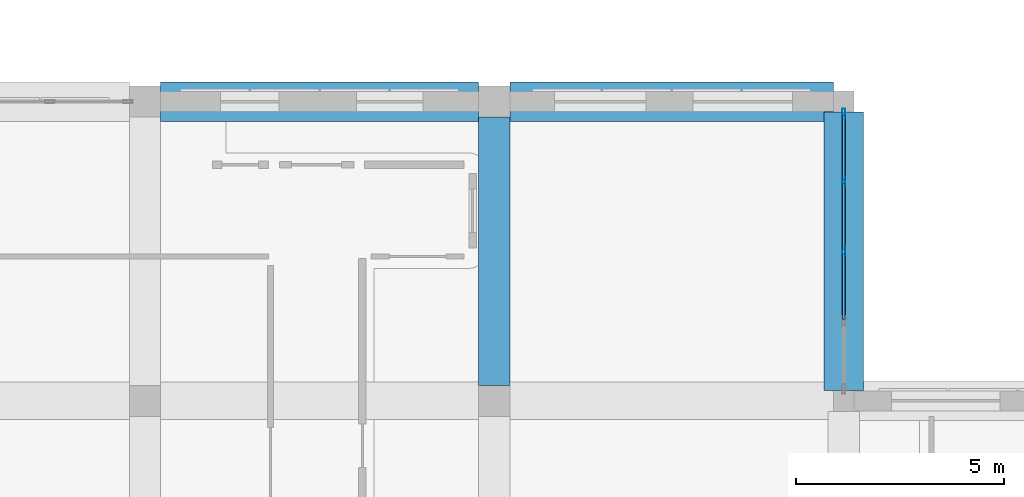
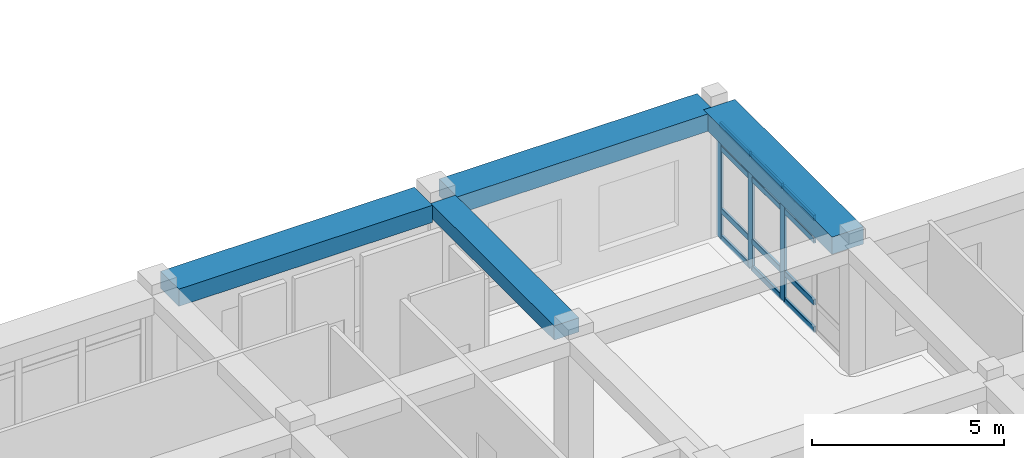
# One storey, part 58 of 121: 15 members, 4 beams, 1 element without a shape of its own.
"""IFC4 building model written with IfcOpenShell, lengths in metres."""

from ifc_helpers import new_model, si_unit, derived_unit, direction, frame, origin, origin_2d, place, context, subcontext, project, spatial, rectangle, hollow_rectangle, extrude, material, material_profile, profile_set, type_object, element, aggregate, save


model = new_model("IFC4")

# Units and contexts
model_context = context("Model", 3, precision=1e-05, world=origin(), true_north=direction((0.0, 1.0)))
body_context = subcontext(model_context, "Body", "Model", "MODEL_VIEW")
ifc_project = project(units=[si_unit("LENGTHUNIT", "METRE"), si_unit("AREAUNIT", "SQUARE_METRE"), si_unit("VOLUMEUNIT", "CUBIC_METRE"), si_unit("PLANEANGLEUNIT", "RADIAN"), si_unit("MASSUNIT", "GRAM", prefix="KILO"), derived_unit("THERMALTRANSMITTANCEUNIT", [(si_unit("POWERUNIT", "WATT"), 1), (si_unit("LENGTHUNIT", "METRE"), -2), (si_unit("THERMODYNAMICTEMPERATUREUNIT", "KELVIN"), -1)])], contexts=[model_context])

# Site, building, storey
site_placement = place(None, origin())
site = spatial("IfcSite", under=ifc_project, at=site_placement, CompositionType="ELEMENT")
building_placement = place(site_placement, origin())
building = spatial("IfcBuilding", under=site, at=building_placement, Name="Veybourne Emporium", CompositionType="ELEMENT")
storey_placement = place(building_placement, frame((0.0, 0.0, 5.39990234375)))
storey = spatial("IfcBuildingStorey", under=building, at=storey_placement, Name="L01", CompositionType="ELEMENT", Elevation=5.39990234375)

# Curtain wall, members
ifc_material_1 = material(Name="Patinated Architectural Bronze", Category="bronze")
curtain_wall_type = type_object("IfcCurtainWallType", Name="CWSystem_CWS-27", PredefinedType="NOTDEFINED", material=ifc_material_1)
curtain_wall_placement = place(storey_placement, origin())
curtain_wall = element("IfcCurtainWall", 1, at=curtain_wall_placement, inside=storey, type_object=curtain_wall_type, Name="L01 bronze glazed curtain wall CWS-27 (070)", PredefinedType="NOTDEFINED")
ifc_material_profile_1 = material_profile(ifc_material_1, hollow_rectangle(XDim=0.077880859375, YDim=0.235107421875, WallThickness=0.0048828125, InnerFilletRadius=0.007568359375, OuterFilletRadius=0.012451171875, at=origin_2d()), Name="CWM 78x235x5")
ifc_profile_set_1 = profile_set([ifc_material_profile_1], Name="Patinated Architectural Bronze")
member_type_1 = type_object("IfcMemberType", Name="CWMullion_CW-M3", PredefinedType="MULLION", material=ifc_profile_set_1)
member_1_placement = place(storey_placement, frame((142.800048828125, 28.510986328125, 0.0), z_axis=(0.0, 0.0, 1.0), x_axis=(1.0, 0.0, 0.0)))
member_1 = element("IfcMember", 2, at=member_1_placement, type_object=member_type_1, Name="CWS-27 mullion 1", PredefinedType="MULLION", context=body_context, shape_type="SweptSolid", body=[
    extrude(hollow_rectangle(XDim=0.077880859375, YDim=0.235107421875, WallThickness=0.0048828125, InnerFilletRadius=0.007568359375, OuterFilletRadius=0.012451171875, at=origin_2d()), origin(), (0.0, 0.0, 1.0), 3.630126953125),
])
member_2_placement = place(storey_placement, frame((142.800048828125, 26.875, 0.0), z_axis=(0.0, 0.0, 1.0), x_axis=(1.0, 0.0, 0.0)))
member_2 = element("IfcMember", 3, at=member_2_placement, type_object=member_type_1, Name="CWS-27 mullion 2", PredefinedType="MULLION", context=body_context, shape_type="SweptSolid", body=[
    extrude(hollow_rectangle(XDim=0.077880859375, YDim=0.235107421875, WallThickness=0.0048828125, InnerFilletRadius=0.007568359375, OuterFilletRadius=0.012451171875, at=origin_2d()), origin(), (0.0, 0.0, 1.0), 3.630126953125),
])
member_3_placement = place(storey_placement, frame((142.800048828125, 25.199951171875, 0.0), z_axis=(0.0, 0.0, 1.0), x_axis=(1.0, 0.0, 0.0)))
member_3 = element("IfcMember", 4, at=member_3_placement, type_object=member_type_1, Name="CWS-27 mullion 3", PredefinedType="MULLION", context=body_context, shape_type="SweptSolid", body=[
    extrude(hollow_rectangle(XDim=0.077880859375, YDim=0.235107421875, WallThickness=0.0048828125, InnerFilletRadius=0.007568359375, OuterFilletRadius=0.012451171875, at=origin_2d()), origin(), (0.0, 0.0, 1.0), 3.630126953125),
])
ifc_material_profile_2 = material_profile(ifc_material_1, hollow_rectangle(XDim=0.077880859375, YDim=0.18505859375, WallThickness=0.0048828125, InnerFilletRadius=0.007568359375, OuterFilletRadius=0.012451171875, at=origin_2d()), Name="CWT 78x185x5")
ifc_profile_set_2 = profile_set([ifc_material_profile_2], Name="Patinated Architectural Bronze")
member_type_2 = type_object("IfcMemberType", Name="CWTransom_CW-T3", PredefinedType="NOTDEFINED", material=ifc_profile_set_2)
member_4_placement = place(storey_placement, frame((142.800048828125, 28.471923828125, 0.0390625), z_axis=(0.0, -1.0, 0.0), x_axis=(1.0, 0.0, 0.0)))
member_4 = element("IfcMember", 5, at=member_4_placement, type_object=member_type_2, Name="CWS-27 transom 1.1", ObjectType="TRANSOM", PredefinedType="USERDEFINED", context=body_context, shape_type="SweptSolid", body=[
    extrude(hollow_rectangle(XDim=0.077880859375, YDim=0.18505859375, WallThickness=0.0048828125, InnerFilletRadius=0.007568359375, OuterFilletRadius=0.012451171875, at=origin_2d()), origin(), (0.0, 0.0, 1.0), 1.557861328125),
])
member_5_placement = place(storey_placement, frame((142.800048828125, 28.471923828125, 0.900146484375), z_axis=(0.0, -1.0, 0.0), x_axis=(1.0, 0.0, 0.0)))
member_5 = element("IfcMember", 6, at=member_5_placement, type_object=member_type_2, Name="CWS-27 transom 1.2", ObjectType="TRANSOM", PredefinedType="USERDEFINED", context=body_context, shape_type="SweptSolid", body=[
    extrude(hollow_rectangle(XDim=0.077880859375, YDim=0.18505859375, WallThickness=0.0048828125, InnerFilletRadius=0.007568359375, OuterFilletRadius=0.012451171875, at=origin_2d()), origin(), (0.0, 0.0, 1.0), 1.557861328125),
])
member_6_placement = place(storey_placement, frame((142.800048828125, 28.471923828125, 2.880126953125), z_axis=(0.0, -1.0, 0.0), x_axis=(1.0, 0.0, 0.0)))
member_6 = element("IfcMember", 7, at=member_6_placement, type_object=member_type_2, Name="CWS-27 transom 1.3", ObjectType="TRANSOM", PredefinedType="USERDEFINED", context=body_context, shape_type="SweptSolid", body=[
    extrude(hollow_rectangle(XDim=0.077880859375, YDim=0.18505859375, WallThickness=0.0048828125, InnerFilletRadius=0.007568359375, OuterFilletRadius=0.012451171875, at=origin_2d()), origin(), (0.0, 0.0, 1.0), 1.557861328125),
])
member_7_placement = place(storey_placement, frame((142.800048828125, 28.471923828125, 3.591064453125), z_axis=(0.0, -1.0, 0.0), x_axis=(1.0, 0.0, 0.0)))
member_7 = element("IfcMember", 8, at=member_7_placement, type_object=member_type_2, Name="CWS-27 transom 1.4", ObjectType="TRANSOM", PredefinedType="USERDEFINED", context=body_context, shape_type="SweptSolid", body=[
    extrude(hollow_rectangle(XDim=0.077880859375, YDim=0.18505859375, WallThickness=0.0048828125, InnerFilletRadius=0.007568359375, OuterFilletRadius=0.012451171875, at=origin_2d()), origin(), (0.0, 0.0, 1.0), 1.557861328125),
])
member_8_placement = place(storey_placement, frame((142.800048828125, 26.8359375, 0.0390625), z_axis=(0.0, -1.0, 0.0), x_axis=(1.0, 0.0, 0.0)))
member_8 = element("IfcMember", 9, at=member_8_placement, type_object=member_type_2, Name="CWS-27 transom 2.1", ObjectType="TRANSOM", PredefinedType="USERDEFINED", context=body_context, shape_type="SweptSolid", body=[
    extrude(hollow_rectangle(XDim=0.077880859375, YDim=0.18505859375, WallThickness=0.0048828125, InnerFilletRadius=0.007568359375, OuterFilletRadius=0.012451171875, at=origin_2d()), origin(), (0.0, 0.0, 1.0), 1.596923828125),
])
member_9_placement = place(storey_placement, frame((142.800048828125, 26.8359375, 0.900146484375), z_axis=(0.0, -1.0, 0.0), x_axis=(1.0, 0.0, 0.0)))
member_9 = element("IfcMember", 10, at=member_9_placement, type_object=member_type_2, Name="CWS-27 transom 2.2", ObjectType="TRANSOM", PredefinedType="USERDEFINED", context=body_context, shape_type="SweptSolid", body=[
    extrude(hollow_rectangle(XDim=0.077880859375, YDim=0.18505859375, WallThickness=0.0048828125, InnerFilletRadius=0.007568359375, OuterFilletRadius=0.012451171875, at=origin_2d()), origin(), (0.0, 0.0, 1.0), 1.596923828125),
])
member_10_placement = place(storey_placement, frame((142.800048828125, 26.8359375, 2.880126953125), z_axis=(0.0, -1.0, 0.0), x_axis=(1.0, 0.0, 0.0)))
member_10 = element("IfcMember", 11, at=member_10_placement, type_object=member_type_2, Name="CWS-27 transom 2.3", ObjectType="TRANSOM", PredefinedType="USERDEFINED", context=body_context, shape_type="SweptSolid", body=[
    extrude(hollow_rectangle(XDim=0.077880859375, YDim=0.18505859375, WallThickness=0.0048828125, InnerFilletRadius=0.007568359375, OuterFilletRadius=0.012451171875, at=origin_2d()), origin(), (0.0, 0.0, 1.0), 1.596923828125),
])
member_11_placement = place(storey_placement, frame((142.800048828125, 26.8359375, 3.591064453125), z_axis=(0.0, -1.0, 0.0), x_axis=(1.0, 0.0, 0.0)))
member_11 = element("IfcMember", 12, at=member_11_placement, type_object=member_type_2, Name="CWS-27 transom 2.4", ObjectType="TRANSOM", PredefinedType="USERDEFINED", context=body_context, shape_type="SweptSolid", body=[
    extrude(hollow_rectangle(XDim=0.077880859375, YDim=0.18505859375, WallThickness=0.0048828125, InnerFilletRadius=0.007568359375, OuterFilletRadius=0.012451171875, at=origin_2d()), origin(), (0.0, 0.0, 1.0), 1.596923828125),
])
member_12_placement = place(storey_placement, frame((142.800048828125, 25.160888671875, 0.0390625), z_axis=(0.0, -1.0, 0.0), x_axis=(1.0, 0.0, 0.0)))
member_12 = element("IfcMember", 13, at=member_12_placement, type_object=member_type_2, Name="CWS-27 transom 3.1", ObjectType="TRANSOM", PredefinedType="USERDEFINED", context=body_context, shape_type="SweptSolid", body=[
    extrude(hollow_rectangle(XDim=0.077880859375, YDim=0.18505859375, WallThickness=0.0048828125, InnerFilletRadius=0.007568359375, OuterFilletRadius=0.012451171875, at=origin_2d()), origin(), (0.0, 0.0, 1.0), 1.596923828125),
])
member_13_placement = place(storey_placement, frame((142.800048828125, 25.160888671875, 0.900146484375), z_axis=(0.0, -1.0, 0.0), x_axis=(1.0, 0.0, 0.0)))
member_13 = element("IfcMember", 14, at=member_13_placement, type_object=member_type_2, Name="CWS-27 transom 3.2", ObjectType="TRANSOM", PredefinedType="USERDEFINED", context=body_context, shape_type="SweptSolid", body=[
    extrude(hollow_rectangle(XDim=0.077880859375, YDim=0.18505859375, WallThickness=0.0048828125, InnerFilletRadius=0.007568359375, OuterFilletRadius=0.012451171875, at=origin_2d()), origin(), (0.0, 0.0, 1.0), 1.596923828125),
])
member_14_placement = place(storey_placement, frame((142.800048828125, 25.160888671875, 2.880126953125), z_axis=(0.0, -1.0, 0.0), x_axis=(1.0, 0.0, 0.0)))
member_14 = element("IfcMember", 15, at=member_14_placement, type_object=member_type_2, Name="CWS-27 transom 3.3", ObjectType="TRANSOM", PredefinedType="USERDEFINED", context=body_context, shape_type="SweptSolid", body=[
    extrude(hollow_rectangle(XDim=0.077880859375, YDim=0.18505859375, WallThickness=0.0048828125, InnerFilletRadius=0.007568359375, OuterFilletRadius=0.012451171875, at=origin_2d()), origin(), (0.0, 0.0, 1.0), 1.596923828125),
])
member_15_placement = place(storey_placement, frame((142.800048828125, 25.160888671875, 3.591064453125), z_axis=(0.0, -1.0, 0.0), x_axis=(1.0, 0.0, 0.0)))
member_15 = element("IfcMember", 16, at=member_15_placement, type_object=member_type_2, Name="CWS-27 transom 3.4", ObjectType="TRANSOM", PredefinedType="USERDEFINED", context=body_context, shape_type="SweptSolid", body=[
    extrude(hollow_rectangle(XDim=0.077880859375, YDim=0.18505859375, WallThickness=0.0048828125, InnerFilletRadius=0.007568359375, OuterFilletRadius=0.012451171875, at=origin_2d()), origin(), (0.0, 0.0, 1.0), 1.596923828125),
])
aggregate(curtain_wall, [member_1, member_2, member_3, member_4, member_5, member_6, member_7, member_8, member_9, member_10, member_11, member_12, member_13, member_14, member_15])

# Beams
ifc_material_2 = material(Name="Concrete C32/40", Category="concrete")
ifc_material_profile_3 = material_profile(ifc_material_2, rectangle(XDim=0.75, YDim=0.449951171875, at=origin_2d()), Name="RC 750x450")
ifc_profile_set_3 = profile_set([ifc_material_profile_3], Name="Concrete C32/40")
beam_type_1 = type_object("IfcBeamType", Name="RCBeam_BB-04", PredefinedType="BEAM", material=ifc_profile_set_3)
beam_1_placement = place(storey_placement, frame((134.39990234375, 21.97509765625, 3.955078125), z_axis=(0.0, 1.0, 0.0), x_axis=(-1.0, 0.0, 0.0)))
element("IfcBeam", 17, at=beam_1_placement, inside=storey, type_object=beam_type_1, Name="L01 Y-grid beam BB-04 (16,3)", PredefinedType="BEAM", context=body_context, shape_type="SweptSolid", body=[
    extrude(rectangle(XDim=0.75, YDim=0.449951171875, at=origin_2d()), origin(), (0.0, 0.0, 1.0), 6.449951171875),
])
ifc_material_profile_4 = material_profile(ifc_material_2, rectangle(XDim=0.949951171875, YDim=0.550048828125, at=origin_2d()), Name="RC 950x550")
ifc_profile_set_4 = profile_set([ifc_material_profile_4], Name="Concrete C32/40")
beam_type_2 = type_object("IfcBeamType", Name="RCBeam_EB-01", PredefinedType="SPANDREL", material=ifc_profile_set_4)
beam_2_placement = place(storey_placement, frame((126.375, 28.800048828125, 3.905029296875), z_axis=(1.0, 0.0, 0.0), x_axis=(0.0, 1.0, 0.0)))
element("IfcBeam", 18, at=beam_2_placement, inside=storey, type_object=beam_type_2, Name="L01 X-grid beam EB-01 (15,4)", PredefinedType="SPANDREL", context=body_context, shape_type="SweptSolid", body=[
    extrude(rectangle(XDim=0.949951171875, YDim=0.550048828125, at=origin_2d()), origin(), (0.0, 0.0, 1.0), 7.64990234375),
])
beam_3_placement = place(storey_placement, frame((134.77490234375, 28.800048828125, 3.905029296875), z_axis=(1.0, 0.0, 0.0), x_axis=(0.0, 1.0, 0.0)))
element("IfcBeam", 19, at=beam_3_placement, inside=storey, type_object=beam_type_2, Name="L01 X-grid beam EB-01 (16,4)", PredefinedType="SPANDREL", context=body_context, shape_type="SweptSolid", body=[
    extrude(rectangle(XDim=0.949951171875, YDim=0.550048828125, at=origin_2d()), origin(), (0.0, 0.0, 1.0), 7.775146484375),
])
beam_4_placement = place(storey_placement, frame((142.800048828125, 21.85009765625, 3.905029296875), z_axis=(0.0, 1.0, 0.0), x_axis=(-1.0, 0.0, 0.0)))
element("IfcBeam", 20, at=beam_4_placement, inside=storey, type_object=beam_type_2, Name="L01 Y-grid beam EB-01 (17,3)", PredefinedType="SPANDREL", context=body_context, shape_type="SweptSolid", body=[
    extrude(rectangle(XDim=0.949951171875, YDim=0.550048828125, at=origin_2d()), origin(), (0.0, 0.0, 1.0), 6.699951171875),
])

save(model, "model.ifc")
